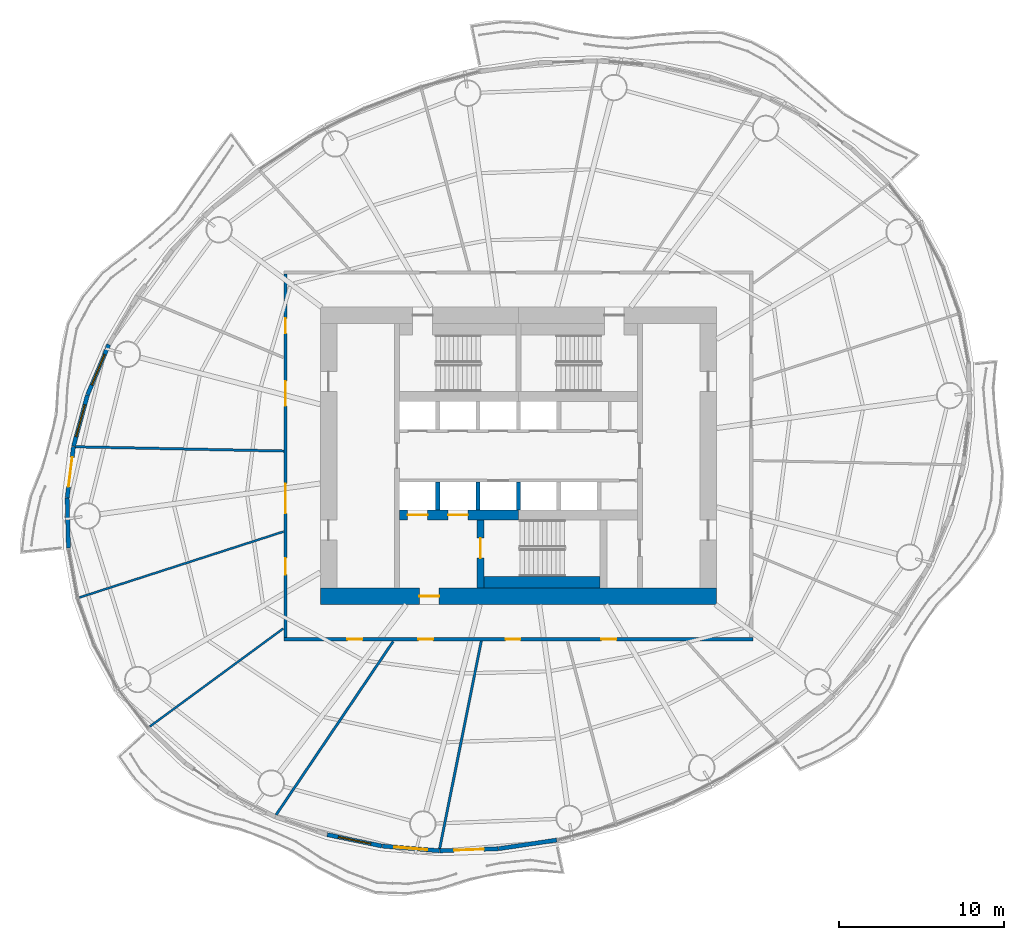
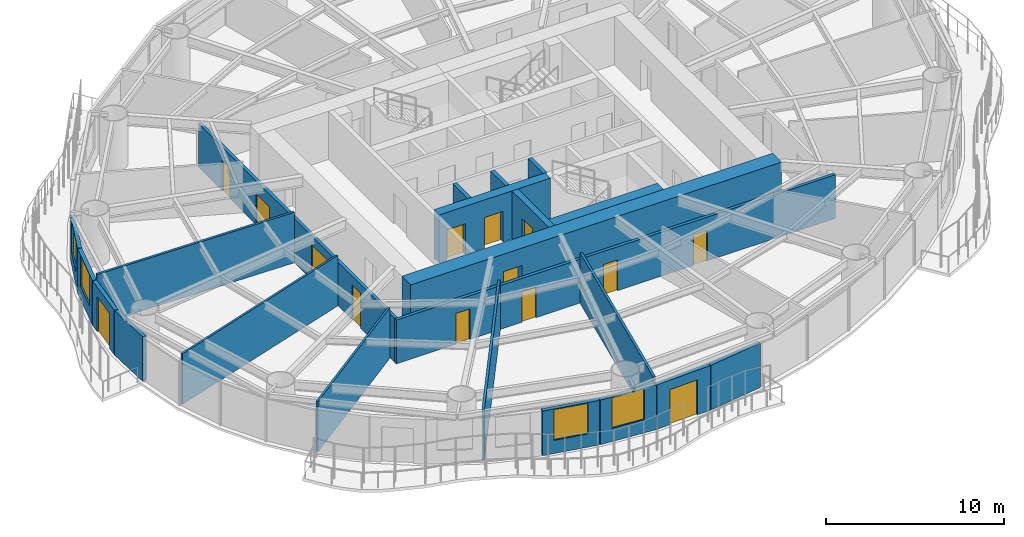
# One storey, part 7 of 15: 22 walls, 14 doors, 4 windows, 18 openings.
"""IFC4 building model written with IfcOpenShell, lengths in metres."""

from ifc_helpers import new_model, si_unit, direction, frame, frame_2d, origin, place, context, subcontext, project, spatial, rectangle, extrude, material, layer, layer_set, type_object, element, fill, save


model = new_model("IFC4")

# Units and contexts
model_context = context("Model", 3, precision=1e-05, world=origin(), true_north=direction((0.0, 1.0)))
body_context = subcontext(model_context, "Body", "Model", "MODEL_VIEW")
ifc_project = project(units=[si_unit("LENGTHUNIT", "METRE"), si_unit("AREAUNIT", "SQUARE_METRE"), si_unit("VOLUMEUNIT", "CUBIC_METRE"), si_unit("PLANEANGLEUNIT", "RADIAN"), si_unit("MASSUNIT", "GRAM", prefix="KILO")], contexts=[model_context])

# Site, building, storey
site_placement = place(None, origin())
site = spatial("IfcSite", under=ifc_project, at=site_placement, CompositionType="ELEMENT")
building_placement = place(site_placement, origin())
building = spatial("IfcBuilding", under=site, at=building_placement, Name="Vermilion Reach Broadcast Tower", CompositionType="ELEMENT")
storey_placement = place(building_placement, frame((0.0, 0.0, 128.199951171875)))
storey = spatial("IfcBuildingStorey", under=building, at=storey_placement, Name="L30", CompositionType="ELEMENT", Elevation=128.199951171875)

# Wall, opening, door
ifc_material_1 = material(Name="Concrete C70", Category="concrete")
ifc_layer_1 = layer(ifc_material_1, 0.39990234375)
ifc_layer_set_1 = layer_set([ifc_layer_1], Name="Core inner wall 400 mm Concrete C70")
wall_type_1 = type_object("IfcWallType", Name="Core inner wall 400 mm Concrete C70", PredefinedType="SHEAR", material=ifc_layer_set_1)
wall_1_placement = place(storey_placement, frame((-8.300048828125, -3.8798828125, 0.0), z_axis=(0.0, 0.0, 1.0), x_axis=(0.0, -1.0, 0.0)))
wall_1 = element("IfcWall", 1, at=wall_1_placement, inside=storey, type_object=wall_type_1, Name="L30 core wall wa", PredefinedType="SHEAR", context=body_context, shape_type="SweptSolid", body=[
    extrude(rectangle(XDim=4.1201171875, YDim=0.39990234375, at=frame_2d((2.06005859375, 0.0))), origin(), (0.0, 0.0, 1.0), 3.300048828125),
])
opening_1_placement = place(wall_1_placement, frame((1.110107421875, 0.0, 0.0)))
opening_1 = element("IfcOpeningElement", 2, at=opening_1_placement, cuts=wall_1, Name="Opening D01", PredefinedType="OPENING", context=body_context, shape_type="SweptSolid", body=[
    extrude(rectangle(XDim=1.199951171875, YDim=2.10009765625, at=frame_2d((0.60009765625, 1.050048828125))), frame((0.0, 0.2099609375, 0.0), z_axis=(0.0, -1.0, 0.0), x_axis=(1.0, 0.0, 0.0)), (0.0, 0.0, 1.0), 0.419921875),
])
ifc_material_2 = material(Name="Painted steel fire door", Category="steel")
door_type_1 = type_object("IfcDoorType", Name="Stair door 1200 x 2100", OperationType="DOUBLE_DOOR_SINGLE_SWING", PredefinedType="NOTDEFINED", material=ifc_material_2)
door_1_placement = place(opening_1_placement, origin())
door_1 = element("IfcDoor", 3, at=door_1_placement, inside=storey, type_object=door_type_1, Name="L30 stair door ST3", OperationType="DOUBLE_DOOR_SINGLE_SWING", OverallHeight=2.10009765625, OverallWidth=1.199951171875, PredefinedType="NOTDEFINED", context=body_context, shape_type="SweptSolid", body=[
    extrude(rectangle(XDim=1.199951171875, YDim=2.10009765625, at=frame_2d((0.60009765625, 1.050048828125))), frame((0.0, 0.02490234375, 0.0), z_axis=(0.0, -1.0, 0.0), x_axis=(1.0, 0.0, 0.0)), (0.0, 0.0, 1.0), 0.050048828125),
])
fill(opening_1, door_1)

# Wall, openings, doors
ifc_material_3 = material(Name="Concrete C70", Category="concrete")
ifc_layer_2 = layer(ifc_material_3, 0.60009765625)
ifc_layer_set_2 = layer_set([ifc_layer_2], Name="Core inner wall 600 mm Concrete C70")
wall_type_2 = type_object("IfcWallType", Name="Core inner wall 600 mm Concrete C70", PredefinedType="SHEAR", material=ifc_layer_set_2)
wall_2_placement = place(storey_placement, frame((-13.199951171875, -3.580078125, 0.0), z_axis=(0.0, 0.0, 1.0), x_axis=(1.0, 0.0, 0.0)))
wall_2 = element("IfcWall", 4, at=wall_2_placement, inside=storey, type_object=wall_type_2, Name="L30 core wall wisW", PredefinedType="SHEAR", context=body_context, shape_type="SweptSolid", body=[
    extrude(rectangle(XDim=7.199951171875, YDim=0.60009765625, at=frame_2d((3.60009765625, 0.0))), origin(), (0.0, 0.0, 1.0), 3.300048828125),
])
opening_2_placement = place(wall_2_placement, frame((0.495849609375, 0.0, 0.0)))
opening_2 = element("IfcOpeningElement", 5, at=opening_2_placement, cuts=wall_2, Name="Opening LD1", PredefinedType="OPENING", context=body_context, shape_type="SweptSolid", body=[
    extrude(rectangle(XDim=1.199951171875, YDim=2.10009765625, at=frame_2d((0.60009765625, 1.050048828125))), frame((0.0, 0.31005859375, 0.0), z_axis=(0.0, -1.0, 0.0), x_axis=(1.0, 0.0, 0.0)), (0.0, 0.0, 1.0), 0.6201171875),
])
opening_3_placement = place(wall_2_placement, frame((2.9375, 0.0, 0.0)))
opening_3 = element("IfcOpeningElement", 6, at=opening_3_placement, cuts=wall_2, Name="Opening LD1", PredefinedType="OPENING", context=body_context, shape_type="SweptSolid", body=[
    extrude(rectangle(XDim=1.199951171875, YDim=2.10009765625, at=frame_2d((0.60009765625, 1.050048828125))), frame((0.0, 0.31005859375, 0.0), z_axis=(0.0, -1.0, 0.0), x_axis=(1.0, 0.0, 0.0)), (0.0, 0.0, 1.0), 0.6201171875),
])
ifc_material_4 = material(Name="Stainless steel", Category="steel")
door_type_2 = type_object("IfcDoorType", Name="Landing door 1200 x 2100", OperationType="DOUBLE_DOOR_SLIDING", PredefinedType="NOTDEFINED", material=ifc_material_4)
door_2_placement = place(opening_2_placement, origin())
door_2 = element("IfcDoor", 7, at=door_2_placement, inside=storey, type_object=door_type_2, Name="L30 landing door FF1", OperationType="DOUBLE_DOOR_SLIDING", OverallHeight=2.10009765625, OverallWidth=1.199951171875, PredefinedType="NOTDEFINED", context=body_context, shape_type="SweptSolid", body=[
    extrude(rectangle(XDim=1.199951171875, YDim=2.10009765625, at=frame_2d((0.60009765625, 1.050048828125))), frame((0.0, 0.02490234375, 0.0), z_axis=(0.0, -1.0, 0.0), x_axis=(1.0, 0.0, 0.0)), (0.0, 0.0, 1.0), 0.050048828125),
])
fill(opening_2, door_2)
door_3_placement = place(opening_3_placement, origin())
door_3 = element("IfcDoor", 8, at=door_3_placement, inside=storey, type_object=door_type_2, Name="L30 landing door FF2", OperationType="DOUBLE_DOOR_SLIDING", OverallHeight=2.10009765625, OverallWidth=1.199951171875, PredefinedType="NOTDEFINED", context=body_context, shape_type="SweptSolid", body=[
    extrude(rectangle(XDim=1.199951171875, YDim=2.10009765625, at=frame_2d((0.60009765625, 1.050048828125))), frame((0.0, 0.02490234375, 0.0), z_axis=(0.0, -1.0, 0.0), x_axis=(1.0, 0.0, 0.0)), (0.0, 0.0, 1.0), 0.050048828125),
])
fill(opening_3, door_3)

# Wall, opening, door
ifc_material_5 = material(Name="Concrete C70", Category="concrete")
ifc_layer_3 = layer(ifc_material_5, 1.0)
ifc_layer_set_3 = layer_set([ifc_layer_3], Name="Core outer wall 1000 mm Concrete C70")
wall_type_3 = type_object("IfcWallType", Name="Core outer wall 1000 mm Concrete C70", PredefinedType="SHEAR", material=ifc_layer_set_3)
wall_3_placement = place(storey_placement, frame((-18.0, -8.5, 0.0), z_axis=(0.0, 0.0, 1.0), x_axis=(1.0, 0.0, 0.0)))
wall_3 = element("IfcWall", 9, at=wall_3_placement, inside=storey, type_object=wall_type_3, Name="L30 core wall os", PredefinedType="SHEAR", context=body_context, shape_type="SweptSolid", body=[
    extrude(rectangle(XDim=24.0, YDim=1.0, at=frame_2d((12.0, 0.0))), origin(), (0.0, 0.0, 1.0), 3.300048828125),
])
opening_4_placement = place(wall_3_placement, frame((6.0, 0.0, 0.0)))
opening_4 = element("IfcOpeningElement", 10, at=opening_4_placement, cuts=wall_3, Name="Opening D02", PredefinedType="OPENING", context=body_context, shape_type="SweptSolid", body=[
    extrude(rectangle(XDim=1.199951171875, YDim=2.10009765625, at=frame_2d((0.60009765625, 1.050048828125))), frame((0.0, 0.510009765625, 0.0), z_axis=(0.0, -1.0, 0.0), x_axis=(1.0, 0.0, 0.0)), (0.0, 0.0, 1.0), 1.02001953125),
])
ifc_material_6 = material(Name="Painted steel fire door", Category="steel")
door_type_3 = type_object("IfcDoorType", Name="Firefighting lobby door 1200 x 2100", OperationType="DOUBLE_DOOR_SINGLE_SWING", PredefinedType="NOTDEFINED", material=ifc_material_6)
door_4_placement = place(opening_4_placement, origin())
door_4 = element("IfcDoor", 11, at=door_4_placement, inside=storey, type_object=door_type_3, Name="L30 ffdoor door FFL", OperationType="DOUBLE_DOOR_SINGLE_SWING", OverallHeight=2.10009765625, OverallWidth=1.199951171875, PredefinedType="NOTDEFINED", context=body_context, shape_type="SweptSolid", body=[
    extrude(rectangle(XDim=1.199951171875, YDim=2.10009765625, at=frame_2d((0.60009765625, 1.050048828125))), frame((0.0, 0.02490234375, 0.0), z_axis=(0.0, -1.0, 0.0), x_axis=(1.0, 0.0, 0.0)), (0.0, 0.0, 1.0), 0.050048828125),
])
fill(opening_4, door_4)

# Walls
ifc_material_7 = material(Name="Concrete C50", Category="concrete")
ifc_layer_4 = layer(ifc_material_7, 0.25)
ifc_layer_set_4 = layer_set([ifc_layer_4], Name="Core shaft wall 250 mm Concrete C50")
wall_type_4 = type_object("IfcWallType", Name="Core shaft wall 250 mm Concrete C50", PredefinedType="SHEAR", material=ifc_layer_set_4)
for number, where, z_axis, x_axis, name in (
    (12, (-10.88330078125, -1.60009765625, 0.0), (0.0, 0.0, 1.0), (0.0, -1.0, 0.0), "L30 core wall psS0"),
    (13, (-8.441650390625, -1.60009765625, 0.0), (0.0, 0.0, 1.0), (0.0, -1.0, 0.0), "L30 core wall psS1"),
    (14, (-6.0, -1.60009765625, 0.0), (0.0, 0.0, 1.0), (0.0, -1.0, 0.0), "L30 core wall psS2"),
):
    element("IfcWall", number, at=place(storey_placement, frame(where, z_axis=z_axis, x_axis=x_axis)), inside=storey, type_object=wall_type_4, Name=name, PredefinedType="SHEAR", context=body_context, shape_type="SweptSolid", body=[
        extrude(rectangle(XDim=1.679931640625, YDim=0.25, at=frame_2d((0.83984375, 0.0))), origin(), (0.0, 0.0, 1.0), 3.300048828125),
    ])
ifc_material_8 = material(Name="Concrete C70", Category="concrete")
ifc_layer_5 = layer(ifc_material_8, 0.699951171875)
ifc_layer_set_5 = layer_set([ifc_layer_5], Name="Core stair wall 700 mm Concrete C70")
wall_type_5 = type_object("IfcWallType", Name="Core stair wall 700 mm Concrete C70", PredefinedType="SHEAR", material=ifc_layer_set_5)
wall_4_placement = place(storey_placement, frame((-8.10009765625, -7.64990234375, 0.0), z_axis=(0.0, 0.0, 1.0), x_axis=(1.0, 0.0, 0.0)))
element("IfcWall", 15, at=wall_4_placement, inside=storey, type_object=wall_type_5, Name="L30 core wall l3", PredefinedType="SHEAR", context=body_context, shape_type="SweptSolid", body=[
    extrude(rectangle(XDim=7.050048828125, YDim=0.699951171875, at=frame_2d((3.52490234375, 0.0))), origin(), (0.0, 0.0, 1.0), 3.300048828125),
])
ifc_material_9 = material(Name="Fire-rated plasterboard on steel stud", Category="steel")
ifc_layer_6 = layer(ifc_material_9, 0.125)
ifc_layer_set_6 = layer_set([ifc_layer_6], Name="Partition 125 fire-rated stud")
wall_type_6 = type_object("IfcWallType", Name="Partition 125 fire-rated stud", PredefinedType="PARTITIONING", material=ifc_layer_set_6)
wall_5_placement = place(storey_placement, frame((-32.578125, -8.578369140625, 0.0), z_axis=(0.0, 0.0, 1.0), x_axis=(0.951657398176, 0.307161515325, 0.0)))
element("IfcWall", 16, at=wall_5_placement, inside=storey, type_object=wall_type_6, Name="Partition 30.08", PredefinedType="PARTITIONING", context=body_context, shape_type="SweptSolid", body=[
    extrude(rectangle(XDim=12.98681640625, YDim=0.125, at=frame_2d((6.493408203125, 0.0))), origin(), (0.0, 0.0, 1.0), 3.449951171875),
])
wall_6_placement = place(storey_placement, frame((-28.321044921875, -16.394287109375, 0.0), z_axis=(0.0, 0.0, 1.0), x_axis=(0.805953622815, 0.591978680251, 0.0)))
element("IfcWall", 17, at=wall_6_placement, inside=storey, type_object=wall_type_6, Name="Partition 30.09", PredefinedType="PARTITIONING", context=body_context, shape_type="SweptSolid", body=[
    extrude(rectangle(XDim=10.0302734375, YDim=0.125, at=frame_2d((5.01513671875, 0.0))), origin(), (0.0, 0.0, 1.0), 3.449951171875),
])
ifc_material_10 = material(Name="Lightweight concrete block, plastered", Category="concrete")
ifc_layer_7 = layer(ifc_material_10, 0.14990234375)
ifc_layer_set_7 = layer_set([ifc_layer_7], Name="Partition 150 lightweight block")
wall_type_7 = type_object("IfcWallType", Name="Partition 150 lightweight block", PredefinedType="PARTITIONING", material=ifc_layer_set_7)
wall_7_placement = place(storey_placement, frame((-32.8154296875, 0.544677734375, 0.0), z_axis=(0.0, 0.0, 1.0), x_axis=(0.999793955869, -0.020298911485, 0.0)))
element("IfcWall", 18, at=wall_7_placement, inside=storey, type_object=wall_type_7, Name="Partition 30.07", PredefinedType="PARTITIONING", context=body_context, shape_type="SweptSolid", body=[
    extrude(rectangle(XDim=12.61669921875, YDim=0.14990234375, at=frame_2d((6.308349609375, 0.0))), origin(), (0.0, 0.0, 1.0), 3.449951171875),
])
wall_8_placement = place(storey_placement, frame((-20.672607421875, -21.740234375, 0.0), z_axis=(0.0, 0.0, 1.0), x_axis=(0.559424188475, 0.828881521901, 0.0)))
element("IfcWall", 19, at=wall_8_placement, inside=storey, type_object=wall_type_7, Name="Partition 30.10", PredefinedType="PARTITIONING", context=body_context, shape_type="SweptSolid", body=[
    extrude(rectangle(XDim=12.66552734375, YDim=0.14990234375, at=frame_2d((6.332763671875, 0.0))), origin(), (0.0, 0.0, 1.0), 3.449951171875),
])
wall_9_placement = place(storey_placement, frame((-10.7705078125, -23.7900390625, 0.0), z_axis=(0.0, 0.0, 1.0), x_axis=(0.196617621552, 0.980480245031, 0.0)))
element("IfcWall", 20, at=wall_9_placement, inside=storey, type_object=wall_type_7, Name="Partition 30.11", PredefinedType="PARTITIONING", context=body_context, shape_type="SweptSolid", body=[
    extrude(rectangle(XDim=12.825439453125, YDim=0.14990234375, at=frame_2d((6.41259765625, 0.0))), origin(), (0.0, 0.0, 1.0), 3.449951171875),
])

# Wall, opening, window
ifc_material_11 = material(Name="Terracotta rainscreen cladding", Category="masonry")
ifc_layer_8 = layer(ifc_material_11, 0.25)
ifc_layer_set_8 = layer_set([ifc_layer_8], Name="Terracotta rainscreen wall 250")
wall_type_8 = type_object("IfcWallType", Name="Terracotta rainscreen wall 250", PredefinedType="SOLIDWALL", material=ifc_layer_set_8)
wall_10_placement = place(storey_placement, frame((-30.803955078125, 6.727294921875, 0.0), z_axis=(0.0, 0.0, 1.0), x_axis=(-0.389780302429, -0.920907875869, 0.0)))
wall_10 = element("IfcWall", 21, at=wall_10_placement, inside=storey, type_object=wall_type_8, Name="External wall L30 18", PredefinedType="SOLIDWALL", context=body_context, shape_type="SweptSolid", body=[
    extrude(rectangle(XDim=3.292236328125, YDim=0.25, at=frame_2d((1.64599609375, 0.0))), origin(), (0.0, 0.0, 1.0), 3.050048828125),
])
opening_5_placement = place(wall_10_placement, frame((0.64599609375, 0.0, 0.89990234375)))
opening_5 = element("IfcOpeningElement", 22, at=opening_5_placement, cuts=wall_10, Name="Opening W03", PredefinedType="OPENING", context=body_context, shape_type="SweptSolid", body=[
    extrude(rectangle(XDim=2.0, YDim=2.10009765625, at=frame_2d((1.0, 1.050048828125))), frame((0.0, 0.135009765625, 0.0), z_axis=(0.0, -1.0, 0.0), x_axis=(1.0, 0.0, 0.0)), (0.0, 0.0, 1.0), 0.27001953125),
])
ifc_material_12 = material(Name="Low-e laminated clear glass in aluminium frame", Category="aluminium")
window_type = type_object("IfcWindowType", Name="Punched window 2000 x 2100 sill 900", PartitioningType="SINGLE_PANEL", PredefinedType="WINDOW", material=ifc_material_12)
window_1_placement = place(opening_5_placement, origin())
window_1 = element("IfcWindow", 23, at=window_1_placement, inside=storey, type_object=window_type, Name="Window L30 18", OverallHeight=2.10009765625, OverallWidth=2.0, PartitioningType="SINGLE_PANEL", PredefinedType="WINDOW", context=body_context, shape_type="SweptSolid", body=[
    extrude(rectangle(XDim=2.0, YDim=2.10009765625, at=frame_2d((1.0, 1.050048828125))), frame((0.0, 0.030029296875, 0.0), z_axis=(0.0, -1.0, 0.0), x_axis=(1.0, 0.0, 0.0)), (0.0, 0.0, 1.0), 0.06005859375),
])
fill(opening_5, window_1)

wall_11_placement = place(storey_placement, frame((-32.095458984375, 3.672119140625, 0.0), z_axis=(0.0, 0.0, 1.0), x_axis=(-0.262091620012, -0.96504299527, 0.0)))
wall_11 = element("IfcWall", 24, at=wall_11_placement, inside=storey, type_object=wall_type_8, Name="External wall L30 19", PredefinedType="SOLIDWALL", context=body_context, shape_type="SweptSolid", body=[
    extrude(rectangle(XDim=3.20263671875, YDim=0.25, at=frame_2d((1.601318359375, 0.0))), origin(), (0.0, 0.0, 1.0), 3.050048828125),
])
opening_6_placement = place(wall_11_placement, frame((0.601318359375, 0.0, 0.89990234375)))
opening_6 = element("IfcOpeningElement", 25, at=opening_6_placement, cuts=wall_11, Name="Opening W03", PredefinedType="OPENING", context=body_context, shape_type="SweptSolid", body=[
    extrude(rectangle(XDim=2.0, YDim=2.10009765625, at=frame_2d((1.0, 1.050048828125))), frame((0.0, 0.135009765625, 0.0), z_axis=(0.0, -1.0, 0.0), x_axis=(1.0, 0.0, 0.0)), (0.0, 0.0, 1.0), 0.27001953125),
])
window_2_placement = place(opening_6_placement, origin())
window_2 = element("IfcWindow", 26, at=window_2_placement, inside=storey, type_object=window_type, Name="Window L30 19", OverallHeight=2.10009765625, OverallWidth=2.0, PartitioningType="SINGLE_PANEL", PredefinedType="WINDOW", context=body_context, shape_type="SweptSolid", body=[
    extrude(rectangle(XDim=2.0, YDim=2.10009765625, at=frame_2d((1.0, 1.050048828125))), frame((0.0, 0.030029296875, 0.0), z_axis=(0.0, -1.0, 0.0), x_axis=(1.0, 0.0, 0.0)), (0.0, 0.0, 1.0), 0.06005859375),
])
fill(opening_6, window_2)

# Wall, opening, door
wall_12_placement = place(storey_placement, frame((-32.939697265625, 0.55615234375, 0.0), z_axis=(0.0, 0.0, 1.0), x_axis=(-0.122609350435, -0.992455010157, 0.0)))
wall_12 = element("IfcWall", 27, at=wall_12_placement, inside=storey, type_object=wall_type_8, Name="External wall L30 20", PredefinedType="SOLIDWALL", context=body_context, shape_type="SweptSolid", body=[
    extrude(rectangle(XDim=3.1201171875, YDim=0.25, at=frame_2d((1.56005859375, 0.0))), origin(), (0.0, 0.0, 1.0), 3.050048828125),
])
opening_7_placement = place(wall_12_placement, frame((0.659912109375, 0.0, 0.0)))
opening_7 = element("IfcOpeningElement", 28, at=opening_7_placement, cuts=wall_12, Name="Opening D70", PredefinedType="OPENING", context=body_context, shape_type="SweptSolid", body=[
    extrude(rectangle(XDim=1.800048828125, YDim=2.39990234375, at=frame_2d((0.89990234375, 1.199951171875))), frame((0.0, 0.135009765625, 0.0), z_axis=(0.0, -1.0, 0.0), x_axis=(1.0, 0.0, 0.0)), (0.0, 0.0, 1.0), 0.27001953125),
])
ifc_material_13 = material(Name="Low-e laminated clear glass in aluminium frame", Category="aluminium")
door_type_4 = type_object("IfcDoorType", Name="Balcony sliding door 1800 x 2400", OperationType="DOUBLE_DOOR_SLIDING", PredefinedType="DOOR", material=ifc_material_13)
door_5_placement = place(opening_7_placement, origin())
door_5 = element("IfcDoor", 29, at=door_5_placement, inside=storey, type_object=door_type_4, Name="Balcony door L30 run 05", OperationType="DOUBLE_DOOR_SLIDING", OverallHeight=2.39990234375, OverallWidth=1.800048828125, PredefinedType="DOOR", context=body_context, shape_type="SweptSolid", body=[
    extrude(rectangle(XDim=1.800048828125, YDim=2.39990234375, at=frame_2d((0.89990234375, 1.199951171875))), frame((0.0, 0.02490234375, 0.0), z_axis=(0.0, -1.0, 0.0), x_axis=(1.0, 0.0, 0.0)), (0.0, 0.0, 1.0), 0.050048828125),
])
fill(opening_7, door_5)

# Wall
wall_13_placement = place(storey_placement, frame((-33.323486328125, -2.567138671875, 0.0), z_axis=(0.0, 0.0, 1.0), x_axis=(0.026118966812, -0.999658841592, 0.0)))
element("IfcWall", 30, at=wall_13_placement, inside=storey, type_object=wall_type_8, Name="External wall L30 21", PredefinedType="SOLIDWALL", context=body_context, shape_type="SweptSolid", body=[
    extrude(rectangle(XDim=3.009765625, YDim=0.25, at=frame_2d((1.5048828125, 0.0))), origin(), (0.0, 0.0, 1.0), 3.050048828125),
])

# Wall, opening, window
wall_14_placement = place(storey_placement, frame((-17.574462890625, -22.940673828125, 0.0), z_axis=(0.0, 0.0, 1.0), x_axis=(0.979211003926, -0.202844299376, 0.0)))
wall_14 = element("IfcWall", 31, at=wall_14_placement, inside=storey, type_object=wall_type_8, Name="External wall L30 30", PredefinedType="SOLIDWALL", context=body_context, shape_type="SweptSolid", body=[
    extrude(rectangle(XDim=3.382080078125, YDim=0.25, at=frame_2d((1.69091796875, 0.0))), origin(), (0.0, 0.0, 1.0), 3.050048828125),
])
opening_8_placement = place(wall_14_placement, frame((0.691162109375, 0.0, 0.89990234375)))
opening_8 = element("IfcOpeningElement", 32, at=opening_8_placement, cuts=wall_14, Name="Opening W03", PredefinedType="OPENING", context=body_context, shape_type="SweptSolid", body=[
    extrude(rectangle(XDim=2.0, YDim=2.10009765625, at=frame_2d((1.0, 1.050048828125))), frame((0.0, 0.135009765625, 0.0), z_axis=(0.0, -1.0, 0.0), x_axis=(1.0, 0.0, 0.0)), (0.0, 0.0, 1.0), 0.27001953125),
])
window_3_placement = place(opening_8_placement, origin())
window_3 = element("IfcWindow", 33, at=window_3_placement, inside=storey, type_object=window_type, Name="Window L30 30", OverallHeight=2.10009765625, OverallWidth=2.0, PartitioningType="SINGLE_PANEL", PredefinedType="WINDOW", context=body_context, shape_type="SweptSolid", body=[
    extrude(rectangle(XDim=2.0, YDim=2.10009765625, at=frame_2d((1.0, 1.050048828125))), frame((0.0, 0.030029296875, 0.0), z_axis=(0.0, -1.0, 0.0), x_axis=(1.0, 0.0, 0.0)), (0.0, 0.0, 1.0), 0.06005859375),
])
fill(opening_8, window_3)

wall_15_placement = place(storey_placement, frame((-14.23974609375, -23.630126953125, 0.0), z_axis=(0.0, 0.0, 1.0), x_axis=(0.996640297335, -0.081903099619, 0.0)))
wall_15 = element("IfcWall", 34, at=wall_15_placement, inside=storey, type_object=wall_type_8, Name="External wall L30 31", PredefinedType="SOLIDWALL", context=body_context, shape_type="SweptSolid", body=[
    extrude(rectangle(XDim=3.466796875, YDim=0.25, at=frame_2d((1.7333984375, 0.0))), origin(), (0.0, 0.0, 1.0), 3.050048828125),
])
opening_9_placement = place(wall_15_placement, frame((0.7333984375, 0.0, 0.89990234375)))
opening_9 = element("IfcOpeningElement", 35, at=opening_9_placement, cuts=wall_15, Name="Opening W03", PredefinedType="OPENING", context=body_context, shape_type="SweptSolid", body=[
    extrude(rectangle(XDim=2.0, YDim=2.10009765625, at=frame_2d((1.0, 1.050048828125))), frame((0.0, 0.135009765625, 0.0), z_axis=(0.0, -1.0, 0.0), x_axis=(1.0, 0.0, 0.0)), (0.0, 0.0, 1.0), 0.27001953125),
])
window_4_placement = place(opening_9_placement, origin())
window_4 = element("IfcWindow", 36, at=window_4_placement, inside=storey, type_object=window_type, Name="Window L30 31", OverallHeight=2.10009765625, OverallWidth=2.0, PartitioningType="SINGLE_PANEL", PredefinedType="WINDOW", context=body_context, shape_type="SweptSolid", body=[
    extrude(rectangle(XDim=2.0, YDim=2.10009765625, at=frame_2d((1.0, 1.050048828125))), frame((0.0, 0.030029296875, 0.0), z_axis=(0.0, -1.0, 0.0), x_axis=(1.0, 0.0, 0.0)), (0.0, 0.0, 1.0), 0.06005859375),
])
fill(opening_9, window_4)

# Wall, opening, door
wall_16_placement = place(storey_placement, frame((-10.761962890625, -23.914794921875, 0.0), z_axis=(0.0, 0.0, 1.0), x_axis=(0.999391167588, 0.034889742707, 0.0)))
wall_16 = element("IfcWall", 37, at=wall_16_placement, inside=storey, type_object=wall_type_8, Name="External wall L30 32", PredefinedType="SOLIDWALL", context=body_context, shape_type="SweptSolid", body=[
    extrude(rectangle(XDim=3.540771484375, YDim=0.25, at=frame_2d((1.7705078125, 0.0))), origin(), (0.0, 0.0, 1.0), 3.050048828125),
])
opening_10_placement = place(wall_16_placement, frame((0.8701171875, 0.0, 0.0)))
opening_10 = element("IfcOpeningElement", 38, at=opening_10_placement, cuts=wall_16, Name="Opening D70", PredefinedType="OPENING", context=body_context, shape_type="SweptSolid", body=[
    extrude(rectangle(XDim=1.800048828125, YDim=2.39990234375, at=frame_2d((0.89990234375, 1.199951171875))), frame((0.0, 0.135009765625, 0.0), z_axis=(0.0, -1.0, 0.0), x_axis=(1.0, 0.0, 0.0)), (0.0, 0.0, 1.0), 0.27001953125),
])
door_6_placement = place(opening_10_placement, origin())
door_6 = element("IfcDoor", 39, at=door_6_placement, inside=storey, type_object=door_type_4, Name="Balcony door L30 run 08", OperationType="DOUBLE_DOOR_SLIDING", OverallHeight=2.39990234375, OverallWidth=1.800048828125, PredefinedType="DOOR", context=body_context, shape_type="SweptSolid", body=[
    extrude(rectangle(XDim=1.800048828125, YDim=2.39990234375, at=frame_2d((0.89990234375, 1.199951171875))), frame((0.0, 0.02490234375, 0.0), z_axis=(0.0, -1.0, 0.0), x_axis=(1.0, 0.0, 0.0)), (0.0, 0.0, 1.0), 0.050048828125),
])
fill(opening_10, door_6)

# Wall
wall_17_placement = place(storey_placement, frame((-7.201416015625, -23.789306640625, 0.0), z_axis=(0.0, 0.0, 1.0), x_axis=(0.989128877897, 0.147051225462, 0.0)))
element("IfcWall", 40, at=wall_17_placement, inside=storey, type_object=wall_type_8, Name="External wall L30 33", PredefinedType="SOLIDWALL", context=body_context, shape_type="SweptSolid", body=[
    extrude(rectangle(XDim=3.55615234375, YDim=0.25, at=frame_2d((1.778076171875, 0.0))), origin(), (0.0, 0.0, 1.0), 3.050048828125),
])

# Wall, openings, doors
ifc_material_14 = material(Name="Fire-rated gypsum board partition")
ifc_layer_9 = layer(ifc_material_14, 0.199951171875)
ifc_layer_set_9 = layer_set([ifc_layer_9], Name="Under girder: Corridor wall 200 fire-rated")
wall_type_9 = type_object("IfcWallType", Name="Under girder: Corridor wall 200 fire-rated", PredefinedType="PARTITIONING", material=ifc_layer_set_9)
wall_18_placement = place(storey_placement, frame((8.199951171875, -11.10009765625, 0.0), z_axis=(0.0, 0.0, 1.0), x_axis=(-1.0, 0.0, 0.0)))
wall_18 = element("IfcWall", 41, at=wall_18_placement, inside=storey, type_object=wall_type_9, Name="Corridor wall 30.S", PredefinedType="PARTITIONING", context=body_context, shape_type="SweptSolid", body=[
    extrude(rectangle(XDim=28.39990234375, YDim=0.199951171875, at=frame_2d((14.199951171875, 0.0))), origin(), (0.0, 0.0, 1.0), 3.0),
])
opening_11_placement = place(wall_18_placement, frame((23.651123046875, 0.0, 0.0)))
opening_11 = element("IfcOpeningElement", 42, at=opening_11_placement, cuts=wall_18, Name="Opening D22", PredefinedType="OPENING", context=body_context, shape_type="SweptSolid", body=[
    extrude(rectangle(XDim=0.89990234375, YDim=2.10009765625, at=frame_2d((0.449951171875, 1.050048828125))), frame((0.0, 0.10986328125, 0.0), z_axis=(0.0, -1.0, 0.0), x_axis=(1.0, 0.0, 0.0)), (0.0, 0.0, 1.0), 0.219970703125),
])
opening_12_placement = place(wall_18_placement, frame((19.364990234375, 0.0, 0.0)))
opening_12 = element("IfcOpeningElement", 43, at=opening_12_placement, cuts=wall_18, Name="Opening D22", PredefinedType="OPENING", context=body_context, shape_type="SweptSolid", body=[
    extrude(rectangle(XDim=0.89990234375, YDim=2.10009765625, at=frame_2d((0.449951171875, 1.050048828125))), frame((0.0, 0.10986328125, 0.0), z_axis=(0.0, -1.0, 0.0), x_axis=(1.0, 0.0, 0.0)), (0.0, 0.0, 1.0), 0.219970703125),
])
opening_13_placement = place(wall_18_placement, frame((14.083251953125, 0.0, 0.0)))
opening_13 = element("IfcOpeningElement", 44, at=opening_13_placement, cuts=wall_18, Name="Opening D22", PredefinedType="OPENING", context=body_context, shape_type="SweptSolid", body=[
    extrude(rectangle(XDim=0.89990234375, YDim=2.10009765625, at=frame_2d((0.449951171875, 1.050048828125))), frame((0.0, 0.10986328125, 0.0), z_axis=(0.0, -1.0, 0.0), x_axis=(1.0, 0.0, 0.0)), (0.0, 0.0, 1.0), 0.219970703125),
])
opening_14_placement = place(wall_18_placement, frame((8.278076171875, 0.0, 0.0)))
opening_14 = element("IfcOpeningElement", 45, at=opening_14_placement, cuts=wall_18, Name="Opening D22", PredefinedType="OPENING", context=body_context, shape_type="SweptSolid", body=[
    extrude(rectangle(XDim=0.89990234375, YDim=2.10009765625, at=frame_2d((0.449951171875, 1.050048828125))), frame((0.0, 0.10986328125, 0.0), z_axis=(0.0, -1.0, 0.0), x_axis=(1.0, 0.0, 0.0)), (0.0, 0.0, 1.0), 0.219970703125),
])
ifc_material_15 = material(Name="Timber door leaf", Category="wood")
door_type_5 = type_object("IfcDoorType", Name="Door single 900x2100", OperationType="NOTDEFINED", PredefinedType="DOOR", material=ifc_material_15)
door_7_placement = place(opening_11_placement, origin())
door_7 = element("IfcDoor", 46, at=door_7_placement, inside=storey, type_object=door_type_5, Name="Door 30.09", OperationType="SINGLE_SWING_LEFT", OverallHeight=2.10009765625, OverallWidth=0.89990234375, PredefinedType="DOOR", context=body_context, shape_type="SweptSolid", body=[
    extrude(rectangle(XDim=0.89990234375, YDim=2.10009765625, at=frame_2d((0.449951171875, 1.050048828125))), frame((0.0, 0.02490234375, 0.0), z_axis=(0.0, -1.0, 0.0), x_axis=(1.0, 0.0, 0.0)), (0.0, 0.0, 1.0), 0.050048828125),
])
fill(opening_11, door_7)
door_8_placement = place(opening_12_placement, origin())
door_8 = element("IfcDoor", 47, at=door_8_placement, inside=storey, type_object=door_type_5, Name="Door 30.10", OperationType="SINGLE_SWING_RIGHT", OverallHeight=2.10009765625, OverallWidth=0.89990234375, PredefinedType="DOOR", context=body_context, shape_type="SweptSolid", body=[
    extrude(rectangle(XDim=0.89990234375, YDim=2.10009765625, at=frame_2d((0.449951171875, 1.050048828125))), frame((0.0, 0.02490234375, 0.0), z_axis=(0.0, -1.0, 0.0), x_axis=(1.0, 0.0, 0.0)), (0.0, 0.0, 1.0), 0.050048828125),
])
fill(opening_12, door_8)
door_9_placement = place(opening_13_placement, origin())
door_9 = element("IfcDoor", 48, at=door_9_placement, inside=storey, type_object=door_type_5, Name="Door 30.11", OperationType="SINGLE_SWING_RIGHT", OverallHeight=2.10009765625, OverallWidth=0.89990234375, PredefinedType="DOOR", context=body_context, shape_type="SweptSolid", body=[
    extrude(rectangle(XDim=0.89990234375, YDim=2.10009765625, at=frame_2d((0.449951171875, 1.050048828125))), frame((0.0, 0.02490234375, 0.0), z_axis=(0.0, -1.0, 0.0), x_axis=(1.0, 0.0, 0.0)), (0.0, 0.0, 1.0), 0.050048828125),
])
fill(opening_13, door_9)
door_10_placement = place(opening_14_placement, origin())
door_10 = element("IfcDoor", 49, at=door_10_placement, inside=storey, type_object=door_type_5, Name="Door 30.12", OperationType="SINGLE_SWING_RIGHT", OverallHeight=2.10009765625, OverallWidth=0.89990234375, PredefinedType="DOOR", context=body_context, shape_type="SweptSolid", body=[
    extrude(rectangle(XDim=0.89990234375, YDim=2.10009765625, at=frame_2d((0.449951171875, 1.050048828125))), frame((0.0, 0.02490234375, 0.0), z_axis=(0.0, -1.0, 0.0), x_axis=(1.0, 0.0, 0.0)), (0.0, 0.0, 1.0), 0.050048828125),
])
fill(opening_14, door_10)

wall_19_placement = place(storey_placement, frame((-20.10009765625, -11.0, 0.0), z_axis=(0.0, 0.0, 1.0), x_axis=(0.0, 1.0, 0.0)))
wall_19 = element("IfcWall", 50, at=wall_19_placement, inside=storey, type_object=wall_type_9, Name="Corridor wall 30.W", PredefinedType="PARTITIONING", context=body_context, shape_type="SweptSolid", body=[
    extrude(rectangle(XDim=22.0, YDim=0.199951171875, at=frame_2d((11.0, 0.0))), origin(), (0.0, 0.0, 1.0), 3.0),
])
opening_15_placement = place(wall_19_placement, frame((18.4169921875, 0.0, 0.0)))
opening_15 = element("IfcOpeningElement", 51, at=opening_15_placement, cuts=wall_19, Name="Opening D22", PredefinedType="OPENING", context=body_context, shape_type="SweptSolid", body=[
    extrude(rectangle(XDim=0.89990234375, YDim=2.10009765625, at=frame_2d((0.449951171875, 1.050048828125))), frame((0.0, 0.10986328125, 0.0), z_axis=(0.0, -1.0, 0.0), x_axis=(1.0, 0.0, 0.0)), (0.0, 0.0, 1.0), 0.219970703125),
])
opening_16_placement = place(wall_19_placement, frame((14.023681640625, 0.0, 0.0)))
opening_16 = element("IfcOpeningElement", 52, at=opening_16_placement, cuts=wall_19, Name="Opening D24", PredefinedType="OPENING", context=body_context, shape_type="SweptSolid", body=[
    extrude(rectangle(XDim=1.5, YDim=2.10009765625, at=frame_2d((0.75, 1.050048828125))), frame((0.0, 0.10986328125, 0.0), z_axis=(0.0, -1.0, 0.0), x_axis=(1.0, 0.0, 0.0)), (0.0, 0.0, 1.0), 0.219970703125),
])
opening_17_placement = place(wall_19_placement, frame((7.50830078125, 0.0, 0.0)))
opening_17 = element("IfcOpeningElement", 53, at=opening_17_placement, cuts=wall_19, Name="Opening D27", PredefinedType="OPENING", context=body_context, shape_type="SweptSolid", body=[
    extrude(rectangle(XDim=1.800048828125, YDim=2.39990234375, at=frame_2d((0.89990234375, 1.199951171875))), frame((0.0, 0.10986328125, 0.0), z_axis=(0.0, -1.0, 0.0), x_axis=(1.0, 0.0, 0.0)), (0.0, 0.0, 1.0), 0.219970703125),
])
opening_18_placement = place(wall_19_placement, frame((3.7978515625, 0.0, 0.0)))
opening_18 = element("IfcOpeningElement", 54, at=opening_18_placement, cuts=wall_19, Name="Opening D23", PredefinedType="OPENING", context=body_context, shape_type="SweptSolid", body=[
    extrude(rectangle(XDim=1.0, YDim=2.39990234375, at=frame_2d((0.5, 1.199951171875))), frame((0.0, 0.10986328125, 0.0), z_axis=(0.0, -1.0, 0.0), x_axis=(1.0, 0.0, 0.0)), (0.0, 0.0, 1.0), 0.219970703125),
])
ifc_material_16 = material(Name="Timber door leaf", Category="wood")
door_type_6 = type_object("IfcDoorType", Name="Door pair 1500x2100", OperationType="NOTDEFINED", PredefinedType="DOOR", material=ifc_material_16)
door_11_placement = place(opening_16_placement, origin())
door_11 = element("IfcDoor", 55, at=door_11_placement, inside=storey, type_object=door_type_6, Name="Door 30.06", OperationType="DOUBLE_DOOR_SINGLE_SWING", OverallHeight=2.10009765625, OverallWidth=1.5, PredefinedType="DOOR", context=body_context, shape_type="SweptSolid", body=[
    extrude(rectangle(XDim=1.5, YDim=2.10009765625, at=frame_2d((0.75, 1.050048828125))), frame((0.0, 0.02490234375, 0.0), z_axis=(0.0, -1.0, 0.0), x_axis=(1.0, 0.0, 0.0)), (0.0, 0.0, 1.0), 0.050048828125),
])
fill(opening_16, door_11)
ifc_material_17 = material(Name="Acoustic timber door leaf", Category="wood")
door_type_7 = type_object("IfcDoorType", Name="Door pair 1800x2400", OperationType="NOTDEFINED", PredefinedType="DOOR", material=ifc_material_17)
door_12_placement = place(opening_17_placement, origin())
door_12 = element("IfcDoor", 56, at=door_12_placement, inside=storey, type_object=door_type_7, Name="Door 30.07", OperationType="DOUBLE_DOOR_SINGLE_SWING", OverallHeight=2.39990234375, OverallWidth=1.800048828125, PredefinedType="DOOR", context=body_context, shape_type="SweptSolid", body=[
    extrude(rectangle(XDim=1.800048828125, YDim=2.39990234375, at=frame_2d((0.89990234375, 1.199951171875))), frame((0.0, 0.02490234375, 0.0), z_axis=(0.0, -1.0, 0.0), x_axis=(1.0, 0.0, 0.0)), (0.0, 0.0, 1.0), 0.050048828125),
])
fill(opening_17, door_12)
ifc_material_18 = material(Name="Veneered timber door leaf", Category="wood")
door_type_8 = type_object("IfcDoorType", Name="Door single 1000x2400", OperationType="NOTDEFINED", PredefinedType="DOOR", material=ifc_material_18)
door_13_placement = place(opening_18_placement, origin())
door_13 = element("IfcDoor", 57, at=door_13_placement, inside=storey, type_object=door_type_8, Name="Door 30.08", OperationType="SINGLE_SWING_RIGHT", OverallHeight=2.39990234375, OverallWidth=1.0, PredefinedType="DOOR", context=body_context, shape_type="SweptSolid", body=[
    extrude(rectangle(XDim=1.0, YDim=2.39990234375, at=frame_2d((0.5, 1.199951171875))), frame((0.0, 0.02490234375, 0.0), z_axis=(0.0, -1.0, 0.0), x_axis=(1.0, 0.0, 0.0)), (0.0, 0.0, 1.0), 0.050048828125),
])
fill(opening_18, door_13)
door_14_placement = place(opening_15_placement, origin())
door_14 = element("IfcDoor", 58, at=door_14_placement, inside=storey, type_object=door_type_5, Name="Door 30.05", OperationType="SINGLE_SWING_LEFT", OverallHeight=2.10009765625, OverallWidth=0.89990234375, PredefinedType="DOOR", context=body_context, shape_type="SweptSolid", body=[
    extrude(rectangle(XDim=0.89990234375, YDim=2.10009765625, at=frame_2d((0.449951171875, 1.050048828125))), frame((0.0, 0.02490234375, 0.0), z_axis=(0.0, -1.0, 0.0), x_axis=(1.0, 0.0, 0.0)), (0.0, 0.0, 1.0), 0.050048828125),
])
fill(opening_15, door_14)

save(model, "model.ifc")
